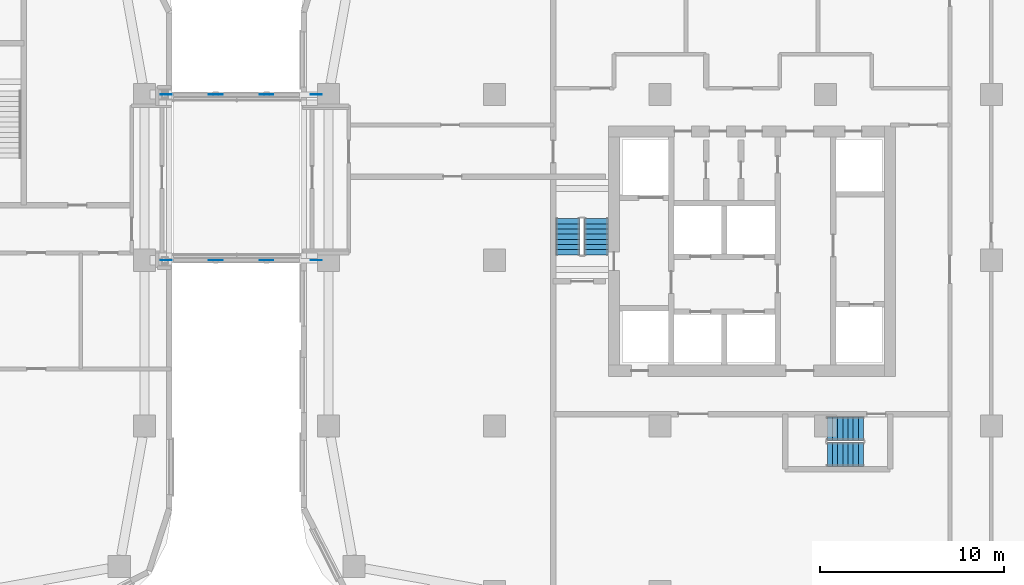
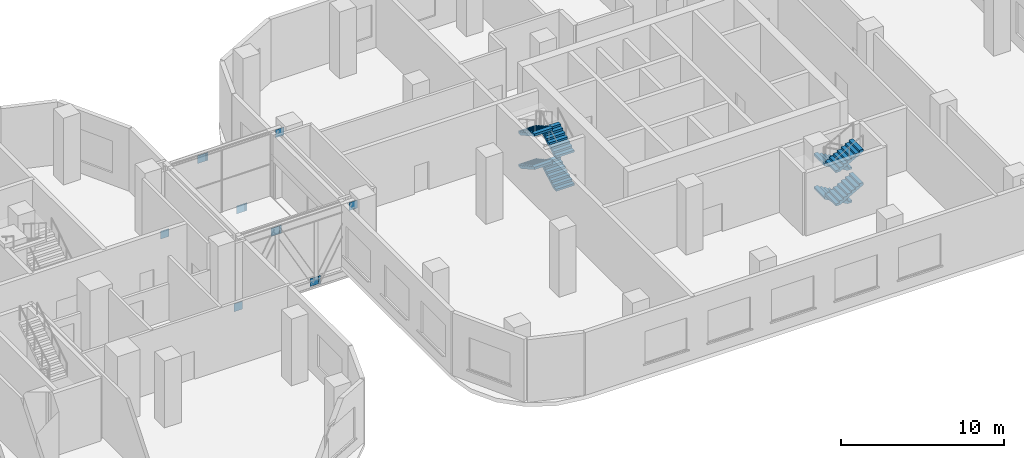
# One storey, part 22 of 35: 12 discrete accessories, 8 stair flights, 2 elements without a shape of their own.
"""IFC4 building model written with IfcOpenShell, lengths in metres."""

from ifc_helpers import new_model, si_unit, direction, frame, origin, origin_2d, place, context, subcontext, project, spatial, rectangle, extrude, triangles, source, transform, mapped, material, layer, layer_set, type_object, element, aggregate, save


model = new_model("IFC4")

# Units and contexts
model_context = context("Model", 3, precision=1e-05, world=origin(), true_north=direction((0.0, 1.0)))
body_context = subcontext(model_context, "Body", "Model", "MODEL_VIEW")
ifc_project = project(units=[si_unit("LENGTHUNIT", "METRE"), si_unit("AREAUNIT", "SQUARE_METRE"), si_unit("VOLUMEUNIT", "CUBIC_METRE"), si_unit("PLANEANGLEUNIT", "RADIAN"), si_unit("MASSUNIT", "GRAM", prefix="KILO")], contexts=[model_context])

# Site, building, storey
site_placement = place(None, origin())
site = spatial("IfcSite", under=ifc_project, at=site_placement, CompositionType="ELEMENT")
building_placement = place(site_placement, origin())
building = spatial("IfcBuilding", under=site, at=building_placement, Name="Ogive Portal Towers", CompositionType="ELEMENT")
storey_placement = place(building_placement, frame((0.0, 0.0, 18.5)))
storey = spatial("IfcBuildingStorey", under=building, at=storey_placement, Name="L03", CompositionType="ELEMENT", Elevation=18.5)

# Stair, stair flights
ifc_material_1 = material(Name="Concrete C40/50", Category="concrete")
stair_type = type_object("IfcStairType", Name="INT-STAIR", PredefinedType="HALF_TURN_STAIR", material=ifc_material_1)
stair_1_placement = place(storey_placement, origin())
stair_1 = element("IfcStair", 1, at=stair_1_placement, inside=storey, type_object=stair_type, Name="L03 Exit Stair ST-B1", PredefinedType="HALF_TURN_STAIR")
stair_flight_type = type_object("IfcStairFlightType", Name="INT-FLIGHT", PredefinedType="STRAIGHT", material=ifc_material_1)
shared_shape = source(origin(), body_context, "Body", "Tessellation", [
    triangles([(0.0, -0.650146484375, 0.0), (0.0, -0.376220703125, 0.0), (0.0, -0.192626953125, 0.0), (0.0, -0.081298828125, 0.0), (0.0, -0.024169921875, 0.0), (0.0, -0.003173828125, 0.0), (0.0, 0.0, 0.0), (0.0, 0.0029296875, 0.0), (0.0, 0.02392578125, 0.0), (0.0, 0.0810546875, 0.0), (0.0, 0.1923828125, 0.0), (0.0, 0.3759765625, 0.0), (0.0, 0.64990234375, 0.0), (0.0, -0.650146484375, 0.15625), (0.0, -0.376220703125, 0.15625), (0.0, -0.192626953125, 0.15625), (0.0, -0.081298828125, 0.15625), (0.0, -0.024169921875, 0.15625), (0.0, -0.003173828125, 0.15625), (0.0, 0.0, 0.15625), (0.0, 0.0029296875, 0.15625), (0.0, 0.02392578125, 0.15625), (0.0, 0.0810546875, 0.15625), (0.0, 0.1923828125, 0.15625), (0.0, 0.3759765625, 0.15625), (0.0, 0.64990234375, 0.15625), (0.280029296875, -0.650146484375, 0.15625), (0.280029296875, -0.376220703125, 0.15625), (0.280029296875, -0.192626953125, 0.15625), (0.280029296875, -0.081298828125, 0.15625), (0.280029296875, -0.024169921875, 0.15625), (0.280029296875, -0.003173828125, 0.15625), (0.280029296875, 0.0, 0.15625), (0.280029296875, 0.0029296875, 0.15625), (0.280029296875, 0.02392578125, 0.15625), (0.280029296875, 0.0810546875, 0.15625), (0.280029296875, 0.1923828125, 0.15625), (0.280029296875, 0.3759765625, 0.15625), (0.280029296875, 0.64990234375, 0.15625), (0.280029296875, -0.650146484375, 0.3125), (0.280029296875, -0.376220703125, 0.3125), (0.280029296875, -0.192626953125, 0.3125), (0.280029296875, -0.081298828125, 0.3125), (0.280029296875, -0.024169921875, 0.3125), (0.280029296875, -0.003173828125, 0.3125), (0.280029296875, 0.0, 0.3125), (0.280029296875, 0.0029296875, 0.3125), (0.280029296875, 0.02392578125, 0.3125), (0.280029296875, 0.0810546875, 0.3125), (0.280029296875, 0.1923828125, 0.3125), (0.280029296875, 0.3759765625, 0.3125), (0.280029296875, 0.64990234375, 0.3125), (0.56005859375, -0.650146484375, 0.3125), (0.56005859375, -0.376220703125, 0.3125), (0.56005859375, -0.192626953125, 0.3125), (0.56005859375, -0.081298828125, 0.3125), (0.56005859375, -0.024169921875, 0.3125), (0.56005859375, -0.003173828125, 0.3125), (0.56005859375, 0.0, 0.3125), (0.56005859375, 0.0029296875, 0.3125), (0.56005859375, 0.02392578125, 0.3125), (0.56005859375, 0.0810546875, 0.3125), (0.56005859375, 0.1923828125, 0.3125), (0.56005859375, 0.3759765625, 0.3125), (0.56005859375, 0.64990234375, 0.3125), (0.56005859375, -0.650146484375, 0.46875), (0.56005859375, -0.376220703125, 0.46875), (0.56005859375, -0.192626953125, 0.46875), (0.56005859375, -0.081298828125, 0.46875), (0.56005859375, -0.024169921875, 0.46875), (0.56005859375, -0.003173828125, 0.46875), (0.56005859375, 0.0, 0.46875), (0.56005859375, 0.0029296875, 0.46875), (0.56005859375, 0.02392578125, 0.46875), (0.56005859375, 0.0810546875, 0.46875), (0.56005859375, 0.1923828125, 0.46875), (0.56005859375, 0.3759765625, 0.46875), (0.56005859375, 0.64990234375, 0.46875), (0.840087890625, -0.650146484375, 0.46875), (0.840087890625, -0.376220703125, 0.46875), (0.840087890625, -0.192626953125, 0.46875), (0.840087890625, -0.081298828125, 0.46875), (0.840087890625, -0.024169921875, 0.46875), (0.840087890625, -0.003173828125, 0.46875), (0.840087890625, 0.0, 0.46875), (0.840087890625, 0.0029296875, 0.46875), (0.840087890625, 0.02392578125, 0.46875), (0.840087890625, 0.0810546875, 0.46875), (0.840087890625, 0.1923828125, 0.46875), (0.840087890625, 0.3759765625, 0.46875), (0.840087890625, 0.64990234375, 0.46875), (0.840087890625, -0.650146484375, 0.625), (0.840087890625, -0.376220703125, 0.625), (0.840087890625, -0.192626953125, 0.625), (0.840087890625, -0.081298828125, 0.625), (0.840087890625, -0.024169921875, 0.625), (0.840087890625, -0.003173828125, 0.625), (0.840087890625, 0.0, 0.625), (0.840087890625, 0.0029296875, 0.625), (0.840087890625, 0.02392578125, 0.625), (0.840087890625, 0.0810546875, 0.625), (0.840087890625, 0.1923828125, 0.625), (0.840087890625, 0.3759765625, 0.625), (0.840087890625, 0.64990234375, 0.625), (1.1201171875, -0.650146484375, 0.625), (1.1201171875, -0.376220703125, 0.625), (1.1201171875, -0.192626953125, 0.625), (1.1201171875, -0.081298828125, 0.625), (1.1201171875, -0.024169921875, 0.625), (1.1201171875, -0.003173828125, 0.625), (1.1201171875, 0.0, 0.625), (1.1201171875, 0.0029296875, 0.625), (1.1201171875, 0.02392578125, 0.625), (1.1201171875, 0.0810546875, 0.625), (1.1201171875, 0.1923828125, 0.625), (1.1201171875, 0.3759765625, 0.625), (1.1201171875, 0.64990234375, 0.625), (1.1201171875, -0.650146484375, 0.78125), (1.1201171875, -0.376220703125, 0.78125), (1.1201171875, -0.192626953125, 0.78125), (1.1201171875, -0.081298828125, 0.78125), (1.1201171875, -0.024169921875, 0.78125), (1.1201171875, -0.003173828125, 0.78125), (1.1201171875, 0.0, 0.78125), (1.1201171875, 0.0029296875, 0.78125), (1.1201171875, 0.02392578125, 0.78125), (1.1201171875, 0.0810546875, 0.78125), (1.1201171875, 0.1923828125, 0.78125), (1.1201171875, 0.3759765625, 0.78125), (1.1201171875, 0.64990234375, 0.78125), (1.39990234375, -0.650146484375, 0.78125), (1.39990234375, -0.376220703125, 0.78125), (1.39990234375, -0.192626953125, 0.78125), (1.39990234375, -0.081298828125, 0.78125), (1.39990234375, -0.024169921875, 0.78125), (1.39990234375, -0.003173828125, 0.78125), (1.39990234375, 0.0, 0.78125), (1.39990234375, 0.0029296875, 0.78125), (1.39990234375, 0.02392578125, 0.78125), (1.39990234375, 0.0810546875, 0.78125), (1.39990234375, 0.1923828125, 0.78125), (1.39990234375, 0.3759765625, 0.78125), (1.39990234375, 0.64990234375, 0.78125), (1.39990234375, -0.650146484375, 0.9375), (1.39990234375, -0.376220703125, 0.9375), (1.39990234375, -0.192626953125, 0.9375), (1.39990234375, -0.081298828125, 0.9375), (1.39990234375, -0.024169921875, 0.9375), (1.39990234375, -0.003173828125, 0.9375), (1.39990234375, 0.0, 0.9375), (1.39990234375, 0.0029296875, 0.9375), (1.39990234375, 0.02392578125, 0.9375), (1.39990234375, 0.0810546875, 0.9375), (1.39990234375, 0.1923828125, 0.9375), (1.39990234375, 0.3759765625, 0.9375), (1.39990234375, 0.64990234375, 0.9375), (1.679931640625, -0.650146484375, 0.9375), (1.679931640625, -0.376220703125, 0.9375), (1.679931640625, -0.192626953125, 0.9375), (1.679931640625, -0.081298828125, 0.9375), (1.679931640625, -0.024169921875, 0.9375), (1.679931640625, -0.003173828125, 0.9375), (1.679931640625, 0.0, 0.9375), (1.679931640625, 0.0029296875, 0.9375), (1.679931640625, 0.02392578125, 0.9375), (1.679931640625, 0.0810546875, 0.9375), (1.679931640625, 0.1923828125, 0.9375), (1.679931640625, 0.3759765625, 0.9375), (1.679931640625, 0.64990234375, 0.9375), (1.679931640625, -0.650146484375, 1.09375), (1.679931640625, -0.376220703125, 1.09375), (1.679931640625, -0.192626953125, 1.09375), (1.679931640625, -0.081298828125, 1.09375), (1.679931640625, -0.024169921875, 1.09375), (1.679931640625, -0.003173828125, 1.09375), (1.679931640625, 0.0, 1.09375), (1.679931640625, 0.0029296875, 1.09375), (1.679931640625, 0.02392578125, 1.09375), (1.679931640625, 0.0810546875, 1.09375), (1.679931640625, 0.1923828125, 1.09375), (1.679931640625, 0.3759765625, 1.09375), (1.679931640625, 0.64990234375, 1.09375), (1.9599609375, -0.650146484375, 1.09375), (1.9599609375, -0.376220703125, 1.09375), (1.9599609375, -0.192626953125, 1.09375), (1.9599609375, -0.081298828125, 1.09375), (1.9599609375, -0.024169921875, 1.09375), (1.9599609375, -0.003173828125, 1.09375), (1.9599609375, 0.0, 1.09375), (1.9599609375, 0.0029296875, 1.09375), (1.9599609375, 0.02392578125, 1.09375), (1.9599609375, 0.0810546875, 1.09375), (1.9599609375, 0.1923828125, 1.09375), (1.9599609375, 0.3759765625, 1.09375), (1.9599609375, 0.64990234375, 1.09375), (1.9599609375, -0.650146484375, 0.922119140625), (1.9599609375, -0.376220703125, 0.922119140625), (1.9599609375, -0.192626953125, 0.922119140625), (1.9599609375, -0.081298828125, 0.922119140625), (1.9599609375, -0.024169921875, 0.922119140625), (1.9599609375, -0.003173828125, 0.922119140625), (1.9599609375, 0.0, 0.922119140625), (1.9599609375, 0.0029296875, 0.922119140625), (1.9599609375, 0.02392578125, 0.922119140625), (1.9599609375, 0.0810546875, 0.922119140625), (1.9599609375, 0.1923828125, 0.922119140625), (1.9599609375, 0.3759765625, 0.922119140625), (1.9599609375, 0.64990234375, 0.922119140625), (0.3076171875, -0.650146484375, 0.0), (0.3076171875, -0.376220703125, 0.0), (0.3076171875, -0.192626953125, 0.0), (0.3076171875, -0.081298828125, 0.0), (0.3076171875, -0.024169921875, 0.0), (0.3076171875, -0.003173828125, 0.0), (0.3076171875, 0.0, 0.0), (0.3076171875, 0.0029296875, 0.0), (0.3076171875, 0.02392578125, 0.0), (0.3076171875, 0.0810546875, 0.0), (0.3076171875, 0.1923828125, 0.0), (0.3076171875, 0.3759765625, 0.0), (0.3076171875, 0.64990234375, 0.0)], [[1, 14, 15], [1, 15, 2], [2, 15, 16], [2, 16, 3], [3, 16, 17], [3, 17, 4], [4, 17, 18], [4, 18, 5], [5, 18, 19], [5, 19, 6], [6, 19, 20], [6, 20, 7], [7, 20, 21], [7, 21, 8], [8, 21, 22], [8, 22, 9], [9, 22, 23], [9, 23, 10], [10, 23, 24], [10, 24, 11], [11, 24, 25], [11, 25, 12], [12, 25, 26], [12, 26, 13], [14, 27, 28], [14, 28, 15], [15, 28, 29], [15, 29, 16], [16, 29, 30], [16, 30, 17], [17, 30, 31], [17, 31, 18], [18, 31, 32], [18, 32, 19], [19, 32, 33], [19, 33, 20], [20, 33, 34], [20, 34, 21], [21, 34, 35], [21, 35, 22], [22, 35, 36], [22, 36, 23], [23, 36, 37], [23, 37, 24], [24, 37, 38], [24, 38, 25], [25, 38, 39], [25, 39, 26], [27, 40, 41], [27, 41, 28], [28, 41, 42], [28, 42, 29], [29, 42, 43], [29, 43, 30], [30, 43, 44], [30, 44, 31], [31, 44, 45], [31, 45, 32], [32, 45, 46], [32, 46, 33], [33, 46, 47], [33, 47, 34], [34, 47, 48], [34, 48, 35], [35, 48, 49], [35, 49, 36], [36, 49, 50], [36, 50, 37], [37, 50, 51], [37, 51, 38], [38, 51, 52], [38, 52, 39], [40, 53, 54], [40, 54, 41], [41, 54, 55], [41, 55, 42], [42, 55, 56], [42, 56, 43], [43, 56, 57], [43, 57, 44], [44, 57, 58], [44, 58, 45], [45, 58, 59], [45, 59, 46], [46, 59, 60], [46, 60, 47], [47, 60, 61], [47, 61, 48], [48, 61, 62], [48, 62, 49], [49, 62, 63], [49, 63, 50], [50, 63, 64], [50, 64, 51], [51, 64, 65], [51, 65, 52], [53, 66, 67], [53, 67, 54], [54, 67, 68], [54, 68, 55], [55, 68, 69], [55, 69, 56], [56, 69, 70], [56, 70, 57], [57, 70, 71], [57, 71, 58], [58, 71, 72], [58, 72, 59], [59, 72, 73], [59, 73, 60], [60, 73, 74], [60, 74, 61], [61, 74, 75], [61, 75, 62], [62, 75, 76], [62, 76, 63], [63, 76, 77], [63, 77, 64], [64, 77, 78], [64, 78, 65], [66, 79, 80], [66, 80, 67], [67, 80, 81], [67, 81, 68], [68, 81, 82], [68, 82, 69], [69, 82, 83], [69, 83, 70], [70, 83, 84], [70, 84, 71], [71, 84, 85], [71, 85, 72], [72, 85, 86], [72, 86, 73], [73, 86, 87], [73, 87, 74], [74, 87, 88], [74, 88, 75], [75, 88, 89], [75, 89, 76], [76, 89, 90], [76, 90, 77], [77, 90, 91], [77, 91, 78], [79, 92, 93], [79, 93, 80], [80, 93, 94], [80, 94, 81], [81, 94, 95], [81, 95, 82], [82, 95, 96], [82, 96, 83], [83, 96, 97], [83, 97, 84], [84, 97, 98], [84, 98, 85], [85, 98, 99], [85, 99, 86], [86, 99, 100], [86, 100, 87], [87, 100, 101], [87, 101, 88], [88, 101, 102], [88, 102, 89], [89, 102, 103], [89, 103, 90], [90, 103, 104], [90, 104, 91], [92, 105, 106], [92, 106, 93], [93, 106, 107], [93, 107, 94], [94, 107, 108], [94, 108, 95], [95, 108, 109], [95, 109, 96], [96, 109, 110], [96, 110, 97], [97, 110, 111], [97, 111, 98], [98, 111, 112], [98, 112, 99], [99, 112, 113], [99, 113, 100], [100, 113, 114], [100, 114, 101], [101, 114, 115], [101, 115, 102], [102, 115, 116], [102, 116, 103], [103, 116, 117], [103, 117, 104], [105, 118, 119], [105, 119, 106], [106, 119, 120], [106, 120, 107], [107, 120, 121], [107, 121, 108], [108, 121, 122], [108, 122, 109], [109, 122, 123], [109, 123, 110], [110, 123, 124], [110, 124, 111], [111, 124, 125], [111, 125, 112], [112, 125, 126], [112, 126, 113], [113, 126, 127], [113, 127, 114], [114, 127, 128], [114, 128, 115], [115, 128, 129], [115, 129, 116], [116, 129, 130], [116, 130, 117], [118, 131, 132], [118, 132, 119], [119, 132, 133], [119, 133, 120], [120, 133, 134], [120, 134, 121], [121, 134, 135], [121, 135, 122], [122, 135, 136], [122, 136, 123], [123, 136, 137], [123, 137, 124], [124, 137, 138], [124, 138, 125], [125, 138, 139], [125, 139, 126], [126, 139, 140], [126, 140, 127], [127, 140, 141], [127, 141, 128], [128, 141, 142], [128, 142, 129], [129, 142, 143], [129, 143, 130], [131, 144, 145], [131, 145, 132], [132, 145, 146], [132, 146, 133], [133, 146, 147], [133, 147, 134], [134, 147, 148], [134, 148, 135], [135, 148, 149], [135, 149, 136], [136, 149, 150], [136, 150, 137], [137, 150, 151], [137, 151, 138], [138, 151, 152], [138, 152, 139], [139, 152, 153], [139, 153, 140], [140, 153, 154], [140, 154, 141], [141, 154, 155], [141, 155, 142], [142, 155, 156], [142, 156, 143], [144, 157, 158], [144, 158, 145], [145, 158, 159], [145, 159, 146], [146, 159, 160], [146, 160, 147], [147, 160, 161], [147, 161, 148], [148, 161, 162], [148, 162, 149], [149, 162, 163], [149, 163, 150], [150, 163, 164], [150, 164, 151], [151, 164, 165], [151, 165, 152], [152, 165, 166], [152, 166, 153], [153, 166, 167], [153, 167, 154], [154, 167, 168], [154, 168, 155], [155, 168, 169], [155, 169, 156], [157, 170, 171], [157, 171, 158], [158, 171, 172], [158, 172, 159], [159, 172, 173], [159, 173, 160], [160, 173, 174], [160, 174, 161], [161, 174, 175], [161, 175, 162], [162, 175, 176], [162, 176, 163], [163, 176, 177], [163, 177, 164], [164, 177, 178], [164, 178, 165], [165, 178, 179], [165, 179, 166], [166, 179, 180], [166, 180, 167], [167, 180, 181], [167, 181, 168], [168, 181, 182], [168, 182, 169], [170, 183, 184], [170, 184, 171], [171, 184, 185], [171, 185, 172], [172, 185, 186], [172, 186, 173], [173, 186, 187], [173, 187, 174], [174, 187, 188], [174, 188, 175], [175, 188, 189], [175, 189, 176], [176, 189, 190], [176, 190, 177], [177, 190, 191], [177, 191, 178], [178, 191, 192], [178, 192, 179], [179, 192, 193], [179, 193, 180], [180, 193, 194], [180, 194, 181], [181, 194, 195], [181, 195, 182], [183, 196, 197], [183, 197, 184], [184, 197, 198], [184, 198, 185], [185, 198, 199], [185, 199, 186], [186, 199, 200], [186, 200, 187], [187, 200, 201], [187, 201, 188], [188, 201, 202], [188, 202, 189], [189, 202, 203], [189, 203, 190], [190, 203, 204], [190, 204, 191], [191, 204, 205], [191, 205, 192], [192, 205, 206], [192, 206, 193], [193, 206, 207], [193, 207, 194], [194, 207, 208], [194, 208, 195], [196, 209, 210], [196, 210, 197], [197, 210, 211], [197, 211, 198], [198, 211, 212], [198, 212, 199], [199, 212, 213], [199, 213, 200], [200, 213, 214], [200, 214, 201], [201, 214, 215], [201, 215, 202], [202, 215, 216], [202, 216, 203], [203, 216, 217], [203, 217, 204], [204, 217, 218], [204, 218, 205], [205, 218, 219], [205, 219, 206], [206, 219, 220], [206, 220, 207], [207, 220, 221], [207, 221, 208], [209, 1, 2], [209, 2, 210], [210, 2, 3], [210, 3, 211], [211, 3, 4], [211, 4, 212], [212, 4, 5], [212, 5, 213], [213, 5, 6], [213, 6, 214], [214, 6, 7], [214, 7, 215], [215, 7, 8], [215, 8, 216], [216, 8, 9], [216, 9, 217], [217, 9, 10], [217, 10, 218], [218, 10, 11], [218, 11, 219], [219, 11, 12], [219, 12, 220], [220, 12, 13], [220, 13, 221], [1, 209, 196], [13, 208, 221], [196, 183, 170], [208, 182, 195], [196, 170, 157], [208, 169, 182], [196, 157, 144], [208, 156, 169], [196, 144, 131], [208, 143, 156], [131, 118, 105], [143, 117, 130], [196, 131, 105], [208, 117, 143], [105, 92, 79], [117, 91, 104], [196, 105, 79], [208, 91, 117], [79, 66, 53], [91, 65, 78], [196, 79, 53], [208, 65, 91], [53, 40, 27], [65, 39, 52], [196, 53, 27], [208, 39, 65], [1, 196, 27], [13, 39, 208], [27, 14, 1], [39, 13, 26]], closed=True),
])
stair_flight_1_placement = place(storey_placement, frame((128.050048828125, 30.800048828125, 0.0), z_axis=(0.0, 0.0, 1.0), x_axis=(0.0, 1.0, 0.0)))
stair_flight_1 = element("IfcStairFlight", 2, at=stair_flight_1_placement, type_object=stair_flight_type, Name="ST-B1 flight 1", NumberOfRisers=8, NumberOfTreads=7, PredefinedType="STRAIGHT", RiserHeight=0.15625, TreadLength=0.28, context=body_context, shape_type="MappedRepresentation", body=[
    mapped(shared_shape, transform((0.0, 0.0, 0.0), scale=1.0)),
])
stair_flight_2_placement = place(storey_placement, frame((126.5, 32.760009765625, 1.25), z_axis=(0.0, 0.0, 1.0), x_axis=(0.0, -1.0, 0.0)))
stair_flight_2 = element("IfcStairFlight", 3, at=stair_flight_2_placement, type_object=stair_flight_type, Name="ST-B1 flight 2", NumberOfRisers=8, NumberOfTreads=7, PredefinedType="STRAIGHT", RiserHeight=0.15625, TreadLength=0.28, context=body_context, shape_type="MappedRepresentation", body=[
    mapped(shared_shape, transform((0.0, 0.0, 0.0), scale=1.0)),
])
stair_flight_3_placement = place(storey_placement, frame((128.050048828125, 30.800048828125, 2.5), z_axis=(0.0, 0.0, 1.0), x_axis=(0.0, 1.0, 0.0)))
stair_flight_3 = element("IfcStairFlight", 4, at=stair_flight_3_placement, type_object=stair_flight_type, Name="ST-B1 flight 3", NumberOfRisers=8, NumberOfTreads=7, PredefinedType="STRAIGHT", RiserHeight=0.15625, TreadLength=0.28, context=body_context, shape_type="MappedRepresentation", body=[
    mapped(shared_shape, transform((0.0, 0.0, 0.0), scale=1.0)),
])
stair_flight_4_placement = place(storey_placement, frame((126.5, 32.760009765625, 3.75), z_axis=(0.0, 0.0, 1.0), x_axis=(0.0, -1.0, 0.0)))
stair_flight_4 = element("IfcStairFlight", 5, at=stair_flight_4_placement, type_object=stair_flight_type, Name="ST-B1 flight 4", NumberOfRisers=8, NumberOfTreads=7, PredefinedType="STRAIGHT", RiserHeight=0.15625, TreadLength=0.28, context=body_context, shape_type="MappedRepresentation", body=[
    mapped(shared_shape, transform((0.0, 0.0, 0.0), scale=1.0)),
])
aggregate(stair_1, [stair_flight_1, stair_flight_2, stair_flight_3, stair_flight_4])

stair_2_placement = place(storey_placement, origin())
stair_2 = element("IfcStair", 6, at=stair_2_placement, inside=storey, type_object=stair_type, Name="L03 Exit Stair ST-B2", PredefinedType="HALF_TURN_STAIR")
stair_flight_5_placement = place(storey_placement, frame((142.550048828125, 21.35009765625, 0.0), z_axis=(0.0, 0.0, 1.0), x_axis=(-1.0, 0.0, 0.0)))
stair_flight_5 = element("IfcStairFlight", 7, at=stair_flight_5_placement, type_object=stair_flight_type, Name="ST-B2 flight 1", NumberOfRisers=8, NumberOfTreads=7, PredefinedType="STRAIGHT", RiserHeight=0.15625, TreadLength=0.28, context=body_context, shape_type="MappedRepresentation", body=[
    mapped(shared_shape, transform((0.0, 0.0, 0.0), scale=1.0)),
])
stair_flight_6_placement = place(storey_placement, frame((140.590087890625, 19.949951171875, 1.25), z_axis=(0.0, 0.0, 1.0), x_axis=(1.0, 0.0, 0.0)))
stair_flight_6 = element("IfcStairFlight", 8, at=stair_flight_6_placement, type_object=stair_flight_type, Name="ST-B2 flight 2", NumberOfRisers=8, NumberOfTreads=7, PredefinedType="STRAIGHT", RiserHeight=0.15625, TreadLength=0.28, context=body_context, shape_type="MappedRepresentation", body=[
    mapped(shared_shape, transform((0.0, 0.0, 0.0), scale=1.0)),
])
stair_flight_7_placement = place(storey_placement, frame((142.550048828125, 21.35009765625, 2.5), z_axis=(0.0, 0.0, 1.0), x_axis=(-1.0, 0.0, 0.0)))
stair_flight_7 = element("IfcStairFlight", 9, at=stair_flight_7_placement, type_object=stair_flight_type, Name="ST-B2 flight 3", NumberOfRisers=8, NumberOfTreads=7, PredefinedType="STRAIGHT", RiserHeight=0.15625, TreadLength=0.28, context=body_context, shape_type="MappedRepresentation", body=[
    mapped(shared_shape, transform((0.0, 0.0, 0.0), scale=1.0)),
])
stair_flight_8_placement = place(storey_placement, frame((140.590087890625, 19.949951171875, 3.75), z_axis=(0.0, 0.0, 1.0), x_axis=(1.0, 0.0, 0.0)))
stair_flight_8 = element("IfcStairFlight", 10, at=stair_flight_8_placement, type_object=stair_flight_type, Name="ST-B2 flight 4", NumberOfRisers=8, NumberOfTreads=7, PredefinedType="STRAIGHT", RiserHeight=0.15625, TreadLength=0.28, context=body_context, shape_type="MappedRepresentation", body=[
    mapped(shared_shape, transform((0.0, 0.0, 0.0), scale=1.0)),
])
aggregate(stair_2, [stair_flight_5, stair_flight_6, stair_flight_7, stair_flight_8])

# Discrete accessories
ifc_material_2 = material(Name="Steel S355", Category="steel")
ifc_layer = layer(ifc_material_2, 0.02001953125)
ifc_layer_set = layer_set([ifc_layer], Name="GUSSET PLATE 600x600x20")
discrete_accessory_type = type_object("IfcDiscreteAccessoryType", Name="GUSSET PLATE 600x600x20", PredefinedType="BRACKET", material=ifc_layer_set)
for number, where, z_axis, x_axis, name in (
    (11, (104.672607421875, 30.5, -0.77880859375), (0.0, 0.0, 1.0), (1.0, 0.0, 0.0), "Gusset plate"),
    (12, (107.294189453125, 30.5, 3.958740234375), (0.0, 0.0, 1.0), (1.0, 0.0, 0.0), "Gusset plate"),
    (13, (107.439208984375, 30.5, 3.958740234375), (0.0, 0.0, 1.0), (1.0, 0.0, 0.0), "Gusset plate"),
    (14, (110.060791015625, 30.5, -0.77880859375), (0.0, 0.0, 1.0), (1.0, 0.0, 0.0), "Gusset plate"),
    (15, (110.205810546875, 30.5, -0.77880859375), (0.0, 0.0, 1.0), (1.0, 0.0, 0.0), "Gusset plate"),
    (16, (112.827392578125, 30.5, 3.958740234375), (0.0, 0.0, 1.0), (1.0, 0.0, 0.0), "Gusset plate"),
    (17, (104.672607421875, 39.5, -0.77880859375), (0.0, 0.0, 1.0), (1.0, 0.0, 0.0), "Gusset plate"),
    (18, (107.294189453125, 39.5, 3.958740234375), (0.0, 0.0, 1.0), (1.0, 0.0, 0.0), "Gusset plate"),
    (19, (107.439208984375, 39.5, 3.958740234375), (0.0, 0.0, 1.0), (1.0, 0.0, 0.0), "Gusset plate"),
    (20, (110.060791015625, 39.5, -0.77880859375), (0.0, 0.0, 1.0), (1.0, 0.0, 0.0), "Gusset plate"),
    (21, (110.205810546875, 39.5, -0.77880859375), (0.0, 0.0, 1.0), (1.0, 0.0, 0.0), "Gusset plate"),
    (22, (112.827392578125, 39.5, 3.958740234375), (0.0, 0.0, 1.0), (1.0, 0.0, 0.0), "Gusset plate"),
):
    element("IfcDiscreteAccessory", number, at=place(storey_placement, frame(where, z_axis=z_axis, x_axis=x_axis)), inside=storey, type_object=discrete_accessory_type, Name=name, PredefinedType="BRACKET", context=body_context, shape_type="SweptSolid", body=[
        extrude(rectangle(XDim=0.60009765625, YDim=0.02001953125, at=origin_2d()), origin(), (0.0, 0.0, 1.0), 0.60009765625),
    ])

save(model, "model.ifc")
